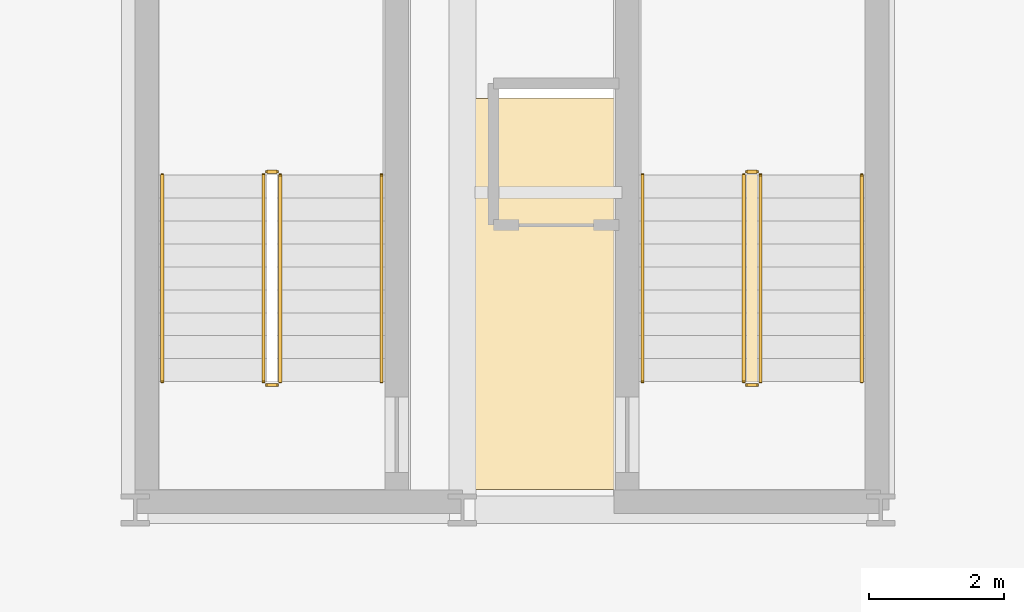
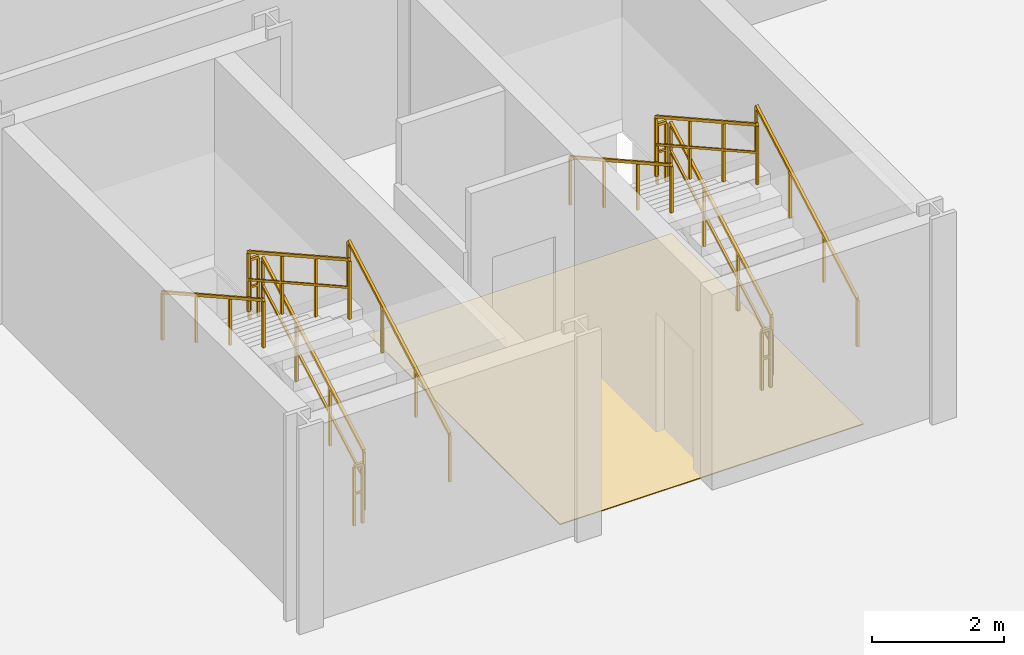
# One storey, part 19 of 19: 12 railings, 1 covering.
"""IFC4 building model written with IfcOpenShell, lengths in metres."""

import ifcopenshell
import ifcopenshell.guid

model = None  # the IFC model being written
_history = None  # IfcOwnerHistory: only IFC2X3 demands one
_inside = {}  # id of a spatial element -> (the spatial element, [elements in it])
_under = {}  # id of a project, library or spatial element -> (it, [spatial elements below it])
_declared = {}  # id of a project -> (the project, [libraries it declares])
_typed = {}  # id of a type object -> (the type object, [elements of that type])
_made_of = {}  # id of a material, layer set ... -> (it, [elements and type objects made of it])


def new_model(schema):
    """Start an empty IFC model of exactly this schema.

    Asked for "IFC4X3", IfcOpenShell would pick the latest addendum, in which some entities
    have other attributes; the version numbers below select the first issue.
    IFC2X3 requires an IfcOwnerHistory on every rooted entity: one is made here for all.
    """
    global model, _history
    if schema == "IFC4X3":
        model = ifcopenshell.file(schema_version=(4, 3, 0, 0))
    else:
        model = ifcopenshell.file(schema=schema)
    _inside.clear()
    _under.clear()
    _declared.clear()
    _typed.clear()
    _made_of.clear()
    _history = None
    if model.schema == "IFC2X3":
        org = make("IfcOrganization", Name="unknown")
        user = make(
            "IfcPersonAndOrganization",
            ThePerson=make("IfcPerson", FamilyName="unknown"),
            TheOrganization=org,
        )
        app = make(
            "IfcApplication",
            ApplicationDeveloper=org,
            Version="unknown",
            ApplicationFullName="unknown",
            ApplicationIdentifier="unknown",
        )
        _history = make(
            "IfcOwnerHistory",
            OwningUser=user,
            OwningApplication=app,
            ChangeAction="ADDED",
            CreationDate=0,
        )
    return model


def make(cls, **values):
    """One entity of the class cls with the attributes given. An attribute that is None is left unset."""
    return model.create_entity(
        cls, **{name: value for name, value in values.items() if value is not None}
    )


def rooted(cls, **values):
    """An entity with a GlobalId (a new one), such as an element, a storey or a relation."""
    return make(cls, GlobalId=ifcopenshell.guid.new(), OwnerHistory=_history, **values)


def si_unit(unit_type, name, prefix=None):
    """IfcSIUnit, for example si_unit("LENGTHUNIT", "METRE", prefix="MILLI")."""
    return make("IfcSIUnit", UnitType=unit_type, Prefix=prefix, Name=name)


def assignment(units):
    """IfcUnitAssignment: the units of a project."""
    return None if units is None else make("IfcUnitAssignment", Units=units)


def point(xyz):
    """IfcCartesianPoint."""
    return None if xyz is None else make("IfcCartesianPoint", Coordinates=xyz)


def direction(xyz):
    """IfcDirection."""
    return None if xyz is None else make("IfcDirection", DirectionRatios=xyz)


def frame(location, z_axis=None, x_axis=None):
    """IfcAxis2Placement3D, a coordinate frame: its origin and axes. An axis left out is left unset."""
    return make(
        "IfcAxis2Placement3D",
        Location=point(location),
        Axis=direction(z_axis),
        RefDirection=direction(x_axis),
    )


def frame_2d(location, x_axis=None):
    """IfcAxis2Placement2D, a coordinate frame in the plane: its origin and x axis."""
    return make(
        "IfcAxis2Placement2D", Location=point(location), RefDirection=direction(x_axis)
    )


def origin():
    """The frame at (0, 0, 0) with its axes left unset."""
    return frame((0.0, 0.0, 0.0))


def origin_2d():
    """The frame at (0, 0) in the plane with its x axis left unset."""
    return frame_2d((0.0, 0.0))


def place(relative_to, where):
    """IfcLocalPlacement: puts the frame where relative to a parent placement (None: the world)."""
    return make(
        "IfcLocalPlacement", PlacementRelTo=relative_to, RelativePlacement=where
    )


def context(
    kind, dimensions, precision=None, world=None, true_north=None, identifier=None
):
    """IfcGeometricRepresentationContext, for example the 3D "Model" context."""
    return make(
        "IfcGeometricRepresentationContext",
        ContextIdentifier=identifier,
        ContextType=kind,
        CoordinateSpaceDimension=dimensions,
        Precision=precision,
        WorldCoordinateSystem=world,
        TrueNorth=true_north,
    )


def subcontext(parent, identifier, kind, view, scale=None):
    """IfcGeometricRepresentationSubContext, for example "Body" below "Model"."""
    return make(
        "IfcGeometricRepresentationSubContext",
        ContextIdentifier=identifier,
        ContextType=kind,
        ParentContext=parent,
        TargetScale=scale,
        TargetView=view,
    )


def project(units=None, contexts=None):
    """IfcProject with its units and contexts."""
    return rooted(
        "IfcProject",
        Name="project",
        RepresentationContexts=contexts,
        UnitsInContext=assignment(units),
    )


def spatial(cls, under=None, at=None, **own):
    """A site, building, storey or space (cls), placed at a placement, below another one or the project."""
    s = rooted(cls, ObjectPlacement=at, **own)
    if under is not None:
        _under.setdefault(under.id(), (under, []))[1].append(s)
    return s


def polyline(points):
    """IfcPolyline through the points."""
    return make("IfcPolyline", Points=[point(p) for p in points])


def profile(cls, at=None, kind="AREA", **sizes):
    """A parametric profile (cls). Its sizes go by their IFC names, for example OverallWidth=200.0."""
    return make(cls, ProfileType=kind, Position=at, **sizes)


def rectangle(**sizes):
    """IfcRectangleProfileDef."""
    return profile("IfcRectangleProfileDef", **sizes)


def outline(outer, holes=None, kind="AREA"):
    """IfcArbitraryClosedProfileDef: a profile drawn as a closed curve; with holes, ...WithVoids."""
    if holes is None:
        return make("IfcArbitraryClosedProfileDef", ProfileType=kind, OuterCurve=outer)
    return make(
        "IfcArbitraryProfileDefWithVoids",
        ProfileType=kind,
        OuterCurve=outer,
        InnerCurves=holes,
    )


def extrude(swept, where, along, depth):
    """IfcExtrudedAreaSolid: the profile swept, set in the frame where, extruded along a direction by depth."""
    return make(
        "IfcExtrudedAreaSolid",
        SweptArea=swept,
        Position=where,
        ExtrudedDirection=direction(along),
        Depth=depth,
    )


def shape(context_of_items, identifier, shape_type, items):
    """IfcShapeRepresentation: the items that make up one representation, for example the "Body"."""
    return make(
        "IfcShapeRepresentation",
        ContextOfItems=context_of_items,
        RepresentationIdentifier=identifier,
        RepresentationType=shape_type,
        Items=items,
    )


def material(Name=None, Category=None):
    """IfcMaterial."""
    return make("IfcMaterial", Name=Name, Category=Category)


def layer(
    of_material, thickness, ventilated=None, Name=None, Category=None, Priority=None
):
    """IfcMaterialLayer: one layer of a wall or slab, of a material (None: an air gap)."""
    return make(
        "IfcMaterialLayer",
        Material=of_material,
        LayerThickness=thickness,
        IsVentilated=ventilated,
        Name=Name,
        Category=Category,
        Priority=Priority,
    )


def layer_set(layers, Name=None):
    """IfcMaterialLayerSet."""
    return make("IfcMaterialLayerSet", MaterialLayers=layers, LayerSetName=Name)


def made_of(thing, what):
    """Note that an element or type object is made of a material, layer set ...; save() writes the relation."""
    if what is not None:
        _made_of.setdefault(what.id(), (what, []))[1].append(thing)
    return thing


def type_object(cls, material=None, **own):
    """A type object (cls), such as IfcWallType, which elements share."""
    return made_of(rooted(cls, **own), material)


def element(
    cls,
    number,
    at=None,
    inside=None,
    cuts=None,
    type_object=None,
    material=None,
    context=None,
    identifier="Body",
    shape_type=None,
    held_by="IfcProductDefinitionShape",
    body=None,
    shapes=None,
    **own,
):
    """One element of the class cls, such as IfcWall. Its Tag is "e" and its number.

    at: its placement. inside: the storey or other place that contains it. cuts: it is an
    opening in that element (IfcRelVoidsElement). A single representation is given by context,
    identifier, shape_type and body (its items); several are given by shapes. held_by: the class
    of the entity that holds the representations. save() writes the other relations.
    """
    e = rooted(cls, Tag="e%d" % number, ObjectPlacement=at, **own)
    if body is not None:
        shapes = [shape(context, identifier, shape_type, body)]
    if shapes is not None:
        e.Representation = make(held_by, Representations=shapes)
    if inside is not None:
        _inside.setdefault(inside.id(), (inside, []))[1].append(e)
    if cuts is not None:
        rooted(
            "IfcRelVoidsElement", RelatingBuildingElement=cuts, RelatedOpeningElement=e
        )
    if type_object is not None:
        _typed.setdefault(type_object.id(), (type_object, []))[1].append(e)
    return made_of(e, material)


def aggregate(whole, parts):
    """IfcRelAggregates: a whole, such as a stair, and the parts it consists of."""
    return rooted("IfcRelAggregates", RelatingObject=whole, RelatedObjects=parts)


def save(model, path):
    """Write the relations noted so far, then the file.

    IfcRelAggregates (storeys below a building ...), IfcRelContainedInSpatialStructure (elements
    in a storey), IfcRelDefinesByType, IfcRelAssociatesMaterial and IfcRelDeclares: one each for
    every whole, place, type object, material and project.
    """
    for whole, parts in _under.values():
        aggregate(whole, parts)
    for where, things in _inside.values():
        rooted(
            "IfcRelContainedInSpatialStructure",
            RelatedElements=things,
            RelatingStructure=where,
        )
    for kind, things in _typed.values():
        rooted("IfcRelDefinesByType", RelatedObjects=things, RelatingType=kind)
    for what, things in _made_of.values():
        rooted("IfcRelAssociatesMaterial", RelatedObjects=things, RelatingMaterial=what)
    for by, libraries in _declared.values():
        rooted("IfcRelDeclares", RelatingContext=by, RelatedDefinitions=libraries)
    model.write(path)


model = new_model("IFC4")

# Units and contexts
model_context = context("Model", 3, precision=1e-05, world=origin(), true_north=direction((0.0, 1.0)))
body_context = subcontext(model_context, "Body", "Model", "MODEL_VIEW")
ifc_project = project(units=[si_unit("LENGTHUNIT", "METRE"), si_unit("AREAUNIT", "SQUARE_METRE"), si_unit("VOLUMEUNIT", "CUBIC_METRE"), si_unit("PLANEANGLEUNIT", "RADIAN"), si_unit("MASSUNIT", "GRAM", prefix="KILO")], contexts=[model_context])

# Site, building, storey
site_placement = place(None, origin())
site = spatial("IfcSite", under=ifc_project, at=site_placement, CompositionType="ELEMENT")
building_placement = place(site_placement, origin())
building = spatial("IfcBuilding", under=site, at=building_placement, Name="Zuhayl Quay Hotel", CompositionType="ELEMENT")
storey_placement = place(building_placement, frame((0.0, 0.0, 304.85009765625)))
storey = spatial("IfcBuildingStorey", under=building, at=storey_placement, Name="Crown 3", CompositionType="ELEMENT", Elevation=304.85009765625)

# Covering
ifc_material_1 = material(Name="EPDM Elastomeric Waterproofing Membrane")
ifc_layer = layer(ifc_material_1, 0.014892578125, Name="EPDM Elastomeric Waterproofing Membrane")
ifc_layer_set = layer_set([ifc_layer], Name="EPDM Elastomeric Waterproofing Membrane")
covering_type = type_object("IfcCoveringType", Name="CV_ROOF_MEMBRANE", PredefinedType="ROOFING", material=ifc_layer_set)
covering_placement = place(storey_placement, origin())
element("IfcCovering", 1, at=covering_placement, inside=storey, type_object=covering_type, Name="Crown 3 Elastomeric Roof Membrane", PredefinedType="ROOFING", context=body_context, shape_type="SweptSolid", body=[
    extrude(outline(polyline([(-4.800048828125, 25.39990234375), (0.5, 25.39990234375), (0.5, 31.199951171875), (-4.800048828125, 31.199951171875), (-4.800048828125, 25.39990234375)])), origin(), (0.0, 0.0, 1.0), 0.014892578125),
])

# Railings
ifc_material_2 = material(Name="Steel ASTM A992 Grade 50", Category="steel")
railing_type_1 = type_object("IfcRailingType", Name="RL_GUARD_1100", PredefinedType="GUARDRAIL", material=ifc_material_2)
railing_1_placement = place(storey_placement, frame((-7.300048828125, 27.0, 0.18994140625)))
element("IfcRailing", 2, at=railing_1_placement, inside=storey, type_object=railing_type_1, Name="Crown 3 ST5 stair guard 1", PredefinedType="GUARDRAIL", context=body_context, shape_type="SweptSolid", body=[
    extrude(rectangle(XDim=0.048095703125, YDim=0.048095703125, at=origin_2d()), frame((0.0, 0.0, 1.09619140625), z_axis=(0.0, 0.872952205056, 0.487805747903), x_axis=(-1.0, 0.0, 0.0)), (0.0, 0.0, 1.0), 3.50537109375),
    extrude(rectangle(XDim=0.0361328125, YDim=0.0361328125, at=origin_2d()), frame((0.0, 0.0, 0.58251953125), z_axis=(0.0, 0.872952205056, 0.487805747903), x_axis=(-1.0, 0.0, 0.0)), (0.0, 0.0, 1.0), 3.50537109375),
    extrude(rectangle(XDim=0.0419921875, YDim=0.0419921875, at=origin_2d()), origin(), (0.0, 0.0, 1.0), 1.072021484375),
    extrude(rectangle(XDim=0.0419921875, YDim=0.0419921875, at=origin_2d()), frame((0.0, 1.02001953125, 0.570068359375)), (0.0, 0.0, 1.0), 1.072021484375),
    extrude(rectangle(XDim=0.0419921875, YDim=0.0419921875, at=origin_2d()), frame((0.0, 2.0400390625, 1.139892578125)), (0.0, 0.0, 1.0), 1.072021484375),
    extrude(rectangle(XDim=0.0419921875, YDim=0.0419921875, at=origin_2d()), frame((0.0, 3.06005859375, 1.7099609375)), (0.0, 0.0, 1.0), 1.072021484375),
])
railing_2_placement = place(storey_placement, frame((-7.35009765625, 30.110107421875, 1.89990234375)))
element("IfcRailing", 3, at=railing_2_placement, inside=storey, type_object=railing_type_1, Name="Crown 3 ST5 stair guard 2", PredefinedType="GUARDRAIL", context=body_context, shape_type="SweptSolid", body=[
    extrude(rectangle(XDim=0.048095703125, YDim=0.048095703125, at=origin_2d()), frame((0.0, 0.0, 1.09619140625), z_axis=(-1.0, 0.0, 0.0), x_axis=(0.0, -1.0, 0.0)), (0.0, 0.0, 1.0), 0.14990234375),
    extrude(rectangle(XDim=0.0361328125, YDim=0.0361328125, at=origin_2d()), frame((0.0, 0.0, 0.58251953125), z_axis=(-1.0, 0.0, 0.0), x_axis=(0.0, -1.0, 0.0)), (0.0, 0.0, 1.0), 0.14990234375),
    extrude(rectangle(XDim=0.0419921875, YDim=0.0419921875, at=origin_2d()), origin(), (0.0, 0.0, 1.0), 1.072021484375),
    extrude(rectangle(XDim=0.0419921875, YDim=0.0419921875, at=origin_2d()), frame((-0.14990234375, 0.0, 0.0)), (0.0, 0.0, 1.0), 1.072021484375),
])
railing_3_placement = place(storey_placement, frame((-7.550048828125, 30.06005859375, 2.08984375)))
element("IfcRailing", 4, at=railing_3_placement, inside=storey, type_object=railing_type_1, Name="Crown 3 ST5 stair guard 3", PredefinedType="GUARDRAIL", context=body_context, shape_type="SweptSolid", body=[
    extrude(rectangle(XDim=0.048095703125, YDim=0.048095703125, at=origin_2d()), frame((0.0, 0.0, 1.09619140625), z_axis=(0.0, -0.872952205056, 0.487805747903), x_axis=(1.0, 0.0, 0.0)), (0.0, 0.0, 1.0), 3.50537109375),
    extrude(rectangle(XDim=0.0361328125, YDim=0.0361328125, at=origin_2d()), frame((0.0, 0.0, 0.58251953125), z_axis=(0.0, -0.872952205056, 0.487805747903), x_axis=(1.0, 0.0, 0.0)), (0.0, 0.0, 1.0), 3.50537109375),
    extrude(rectangle(XDim=0.0419921875, YDim=0.0419921875, at=origin_2d()), origin(), (0.0, 0.0, 1.0), 1.072021484375),
    extrude(rectangle(XDim=0.0419921875, YDim=0.0419921875, at=origin_2d()), frame((0.0, -1.02001953125, 0.570068359375)), (0.0, 0.0, 1.0), 1.072021484375),
    extrude(rectangle(XDim=0.0419921875, YDim=0.0419921875, at=origin_2d()), frame((0.0, -2.0400390625, 1.139892578125)), (0.0, 0.0, 1.0), 1.072021484375),
    extrude(rectangle(XDim=0.0419921875, YDim=0.0419921875, at=origin_2d()), frame((0.0, -3.06005859375, 1.7099609375)), (0.0, 0.0, 1.0), 1.072021484375),
])
railing_4_placement = place(storey_placement, frame((-7.35009765625, 26.949951171875, 0.0)))
element("IfcRailing", 5, at=railing_4_placement, inside=storey, type_object=railing_type_1, Name="Crown 3 ST5 stair guard 4", PredefinedType="GUARDRAIL", context=body_context, shape_type="SweptSolid", body=[
    extrude(rectangle(XDim=0.048095703125, YDim=0.048095703125, at=origin_2d()), frame((0.0, 0.0, 1.09619140625), z_axis=(-1.0, 0.0, 0.0), x_axis=(0.0, -1.0, 0.0)), (0.0, 0.0, 1.0), 0.14990234375),
    extrude(rectangle(XDim=0.0361328125, YDim=0.0361328125, at=origin_2d()), frame((0.0, 0.0, 0.58251953125), z_axis=(-1.0, 0.0, 0.0), x_axis=(0.0, -1.0, 0.0)), (0.0, 0.0, 1.0), 0.14990234375),
    extrude(rectangle(XDim=0.0419921875, YDim=0.0419921875, at=origin_2d()), origin(), (0.0, 0.0, 1.0), 1.072021484375),
    extrude(rectangle(XDim=0.0419921875, YDim=0.0419921875, at=origin_2d()), frame((-0.14990234375, 0.0, 0.0)), (0.0, 0.0, 1.0), 1.072021484375),
])
railing_5_placement = place(storey_placement, frame((-0.179931640625, 27.0, 0.18994140625)))
element("IfcRailing", 6, at=railing_5_placement, inside=storey, type_object=railing_type_1, Name="Crown 3 ST6 stair guard 1", PredefinedType="GUARDRAIL", context=body_context, shape_type="SweptSolid", body=[
    extrude(rectangle(XDim=0.048095703125, YDim=0.048095703125, at=origin_2d()), frame((0.0, 0.0, 1.09619140625), z_axis=(0.0, 0.872952205056, 0.487805747903), x_axis=(-1.0, 0.0, 0.0)), (0.0, 0.0, 1.0), 3.50537109375),
    extrude(rectangle(XDim=0.0361328125, YDim=0.0361328125, at=origin_2d()), frame((0.0, 0.0, 0.58251953125), z_axis=(0.0, 0.872952205056, 0.487805747903), x_axis=(-1.0, 0.0, 0.0)), (0.0, 0.0, 1.0), 3.50537109375),
    extrude(rectangle(XDim=0.0419921875, YDim=0.0419921875, at=origin_2d()), origin(), (0.0, 0.0, 1.0), 1.072021484375),
    extrude(rectangle(XDim=0.0419921875, YDim=0.0419921875, at=origin_2d()), frame((0.0, 1.02001953125, 0.570068359375)), (0.0, 0.0, 1.0), 1.072021484375),
    extrude(rectangle(XDim=0.0419921875, YDim=0.0419921875, at=origin_2d()), frame((0.0, 2.0400390625, 1.139892578125)), (0.0, 0.0, 1.0), 1.072021484375),
    extrude(rectangle(XDim=0.0419921875, YDim=0.0419921875, at=origin_2d()), frame((0.0, 3.06005859375, 1.7099609375)), (0.0, 0.0, 1.0), 1.072021484375),
])
railing_6_placement = place(storey_placement, frame((-0.22998046875, 30.110107421875, 1.89990234375)))
element("IfcRailing", 7, at=railing_6_placement, inside=storey, type_object=railing_type_1, Name="Crown 3 ST6 stair guard 2", PredefinedType="GUARDRAIL", context=body_context, shape_type="SweptSolid", body=[
    extrude(rectangle(XDim=0.048095703125, YDim=0.048095703125, at=origin_2d()), frame((0.0, 0.0, 1.09619140625), z_axis=(-1.0, 0.0, 0.0), x_axis=(0.0, -1.0, 0.0)), (0.0, 0.0, 1.0), 0.14990234375),
    extrude(rectangle(XDim=0.0361328125, YDim=0.0361328125, at=origin_2d()), frame((0.0, 0.0, 0.58251953125), z_axis=(-1.0, 0.0, 0.0), x_axis=(0.0, -1.0, 0.0)), (0.0, 0.0, 1.0), 0.14990234375),
    extrude(rectangle(XDim=0.0419921875, YDim=0.0419921875, at=origin_2d()), origin(), (0.0, 0.0, 1.0), 1.072021484375),
    extrude(rectangle(XDim=0.0419921875, YDim=0.0419921875, at=origin_2d()), frame((-0.14990234375, 0.0, 0.0)), (0.0, 0.0, 1.0), 1.072021484375),
])
railing_7_placement = place(storey_placement, frame((-0.429931640625, 30.06005859375, 2.08984375)))
element("IfcRailing", 8, at=railing_7_placement, inside=storey, type_object=railing_type_1, Name="Crown 3 ST6 stair guard 3", PredefinedType="GUARDRAIL", context=body_context, shape_type="SweptSolid", body=[
    extrude(rectangle(XDim=0.048095703125, YDim=0.048095703125, at=origin_2d()), frame((0.0, 0.0, 1.09619140625), z_axis=(0.0, -0.872952205056, 0.487805747903), x_axis=(1.0, 0.0, 0.0)), (0.0, 0.0, 1.0), 3.50537109375),
    extrude(rectangle(XDim=0.0361328125, YDim=0.0361328125, at=origin_2d()), frame((0.0, 0.0, 0.58251953125), z_axis=(0.0, -0.872952205056, 0.487805747903), x_axis=(1.0, 0.0, 0.0)), (0.0, 0.0, 1.0), 3.50537109375),
    extrude(rectangle(XDim=0.0419921875, YDim=0.0419921875, at=origin_2d()), origin(), (0.0, 0.0, 1.0), 1.072021484375),
    extrude(rectangle(XDim=0.0419921875, YDim=0.0419921875, at=origin_2d()), frame((0.0, -1.02001953125, 0.570068359375)), (0.0, 0.0, 1.0), 1.072021484375),
    extrude(rectangle(XDim=0.0419921875, YDim=0.0419921875, at=origin_2d()), frame((0.0, -2.0400390625, 1.139892578125)), (0.0, 0.0, 1.0), 1.072021484375),
    extrude(rectangle(XDim=0.0419921875, YDim=0.0419921875, at=origin_2d()), frame((0.0, -3.06005859375, 1.7099609375)), (0.0, 0.0, 1.0), 1.072021484375),
])
railing_8_placement = place(storey_placement, frame((-0.22998046875, 26.949951171875, 0.0)))
element("IfcRailing", 9, at=railing_8_placement, inside=storey, type_object=railing_type_1, Name="Crown 3 ST6 stair guard 4", PredefinedType="GUARDRAIL", context=body_context, shape_type="SweptSolid", body=[
    extrude(rectangle(XDim=0.048095703125, YDim=0.048095703125, at=origin_2d()), frame((0.0, 0.0, 1.09619140625), z_axis=(-1.0, 0.0, 0.0), x_axis=(0.0, -1.0, 0.0)), (0.0, 0.0, 1.0), 0.14990234375),
    extrude(rectangle(XDim=0.0361328125, YDim=0.0361328125, at=origin_2d()), frame((0.0, 0.0, 0.58251953125), z_axis=(-1.0, 0.0, 0.0), x_axis=(0.0, -1.0, 0.0)), (0.0, 0.0, 1.0), 0.14990234375),
    extrude(rectangle(XDim=0.0419921875, YDim=0.0419921875, at=origin_2d()), origin(), (0.0, 0.0, 1.0), 1.072021484375),
    extrude(rectangle(XDim=0.0419921875, YDim=0.0419921875, at=origin_2d()), frame((-0.14990234375, 0.0, 0.0)), (0.0, 0.0, 1.0), 1.072021484375),
])
railing_type_2 = type_object("IfcRailingType", Name="RL_HANDRAIL_920", PredefinedType="HANDRAIL", material=ifc_material_2)
railing_9_placement = place(storey_placement, frame((-5.800048828125, 27.0, 0.18994140625)))
element("IfcRailing", 10, at=railing_9_placement, inside=storey, type_object=railing_type_2, Name="Crown 3 ST5 stair handrail 1", PredefinedType="HANDRAIL", context=body_context, shape_type="SweptSolid", body=[
    extrude(rectangle(XDim=0.048095703125, YDim=0.048095703125, at=origin_2d()), frame((0.0, 0.0, 0.8759765625), z_axis=(0.0, 0.872952205056, 0.487805747903), x_axis=(-1.0, 0.0, 0.0)), (0.0, 0.0, 1.0), 3.50537109375),
    extrude(rectangle(XDim=0.0419921875, YDim=0.0419921875, at=origin_2d()), origin(), (0.0, 0.0, 1.0), 0.851806640625),
    extrude(rectangle(XDim=0.0419921875, YDim=0.0419921875, at=origin_2d()), frame((0.0, 1.02001953125, 0.570068359375)), (0.0, 0.0, 1.0), 0.851806640625),
    extrude(rectangle(XDim=0.0419921875, YDim=0.0419921875, at=origin_2d()), frame((0.0, 2.0400390625, 1.139892578125)), (0.0, 0.0, 1.0), 0.851806640625),
    extrude(rectangle(XDim=0.0419921875, YDim=0.0419921875, at=origin_2d()), frame((0.0, 3.06005859375, 1.7099609375)), (0.0, 0.0, 1.0), 0.851806640625),
])
railing_10_placement = place(storey_placement, frame((-9.050048828125, 30.06005859375, 2.08984375)))
element("IfcRailing", 11, at=railing_10_placement, inside=storey, type_object=railing_type_2, Name="Crown 3 ST5 stair handrail 2", PredefinedType="HANDRAIL", context=body_context, shape_type="SweptSolid", body=[
    extrude(rectangle(XDim=0.048095703125, YDim=0.048095703125, at=origin_2d()), frame((0.0, 0.0, 0.8759765625), z_axis=(0.0, -0.872952205056, 0.487805747903), x_axis=(1.0, 0.0, 0.0)), (0.0, 0.0, 1.0), 3.50537109375),
    extrude(rectangle(XDim=0.0419921875, YDim=0.0419921875, at=origin_2d()), origin(), (0.0, 0.0, 1.0), 0.851806640625),
    extrude(rectangle(XDim=0.0419921875, YDim=0.0419921875, at=origin_2d()), frame((0.0, -1.02001953125, 0.570068359375)), (0.0, 0.0, 1.0), 0.851806640625),
    extrude(rectangle(XDim=0.0419921875, YDim=0.0419921875, at=origin_2d()), frame((0.0, -2.0400390625, 1.139892578125)), (0.0, 0.0, 1.0), 0.851806640625),
    extrude(rectangle(XDim=0.0419921875, YDim=0.0419921875, at=origin_2d()), frame((0.0, -3.06005859375, 1.7099609375)), (0.0, 0.0, 1.0), 0.851806640625),
])
railing_11_placement = place(storey_placement, frame((1.320068359375, 27.0, 0.18994140625)))
element("IfcRailing", 12, at=railing_11_placement, inside=storey, type_object=railing_type_2, Name="Crown 3 ST6 stair handrail 1", PredefinedType="HANDRAIL", context=body_context, shape_type="SweptSolid", body=[
    extrude(rectangle(XDim=0.048095703125, YDim=0.048095703125, at=origin_2d()), frame((0.0, 0.0, 0.8759765625), z_axis=(0.0, 0.872952205056, 0.487805747903), x_axis=(-1.0, 0.0, 0.0)), (0.0, 0.0, 1.0), 3.50537109375),
    extrude(rectangle(XDim=0.0419921875, YDim=0.0419921875, at=origin_2d()), origin(), (0.0, 0.0, 1.0), 0.851806640625),
    extrude(rectangle(XDim=0.0419921875, YDim=0.0419921875, at=origin_2d()), frame((0.0, 1.02001953125, 0.570068359375)), (0.0, 0.0, 1.0), 0.851806640625),
    extrude(rectangle(XDim=0.0419921875, YDim=0.0419921875, at=origin_2d()), frame((0.0, 2.0400390625, 1.139892578125)), (0.0, 0.0, 1.0), 0.851806640625),
    extrude(rectangle(XDim=0.0419921875, YDim=0.0419921875, at=origin_2d()), frame((0.0, 3.06005859375, 1.7099609375)), (0.0, 0.0, 1.0), 0.851806640625),
])
railing_12_placement = place(storey_placement, frame((-1.929931640625, 30.06005859375, 2.08984375)))
element("IfcRailing", 13, at=railing_12_placement, inside=storey, type_object=railing_type_2, Name="Crown 3 ST6 stair handrail 2", PredefinedType="HANDRAIL", context=body_context, shape_type="SweptSolid", body=[
    extrude(rectangle(XDim=0.048095703125, YDim=0.048095703125, at=origin_2d()), frame((0.0, 0.0, 0.8759765625), z_axis=(0.0, -0.872952205056, 0.487805747903), x_axis=(1.0, 0.0, 0.0)), (0.0, 0.0, 1.0), 3.50537109375),
    extrude(rectangle(XDim=0.0419921875, YDim=0.0419921875, at=origin_2d()), origin(), (0.0, 0.0, 1.0), 0.851806640625),
    extrude(rectangle(XDim=0.0419921875, YDim=0.0419921875, at=origin_2d()), frame((0.0, -1.02001953125, 0.570068359375)), (0.0, 0.0, 1.0), 0.851806640625),
    extrude(rectangle(XDim=0.0419921875, YDim=0.0419921875, at=origin_2d()), frame((0.0, -2.0400390625, 1.139892578125)), (0.0, 0.0, 1.0), 0.851806640625),
    extrude(rectangle(XDim=0.0419921875, YDim=0.0419921875, at=origin_2d()), frame((0.0, -3.06005859375, 1.7099609375)), (0.0, 0.0, 1.0), 0.851806640625),
])

save(model, "model.ifc")
